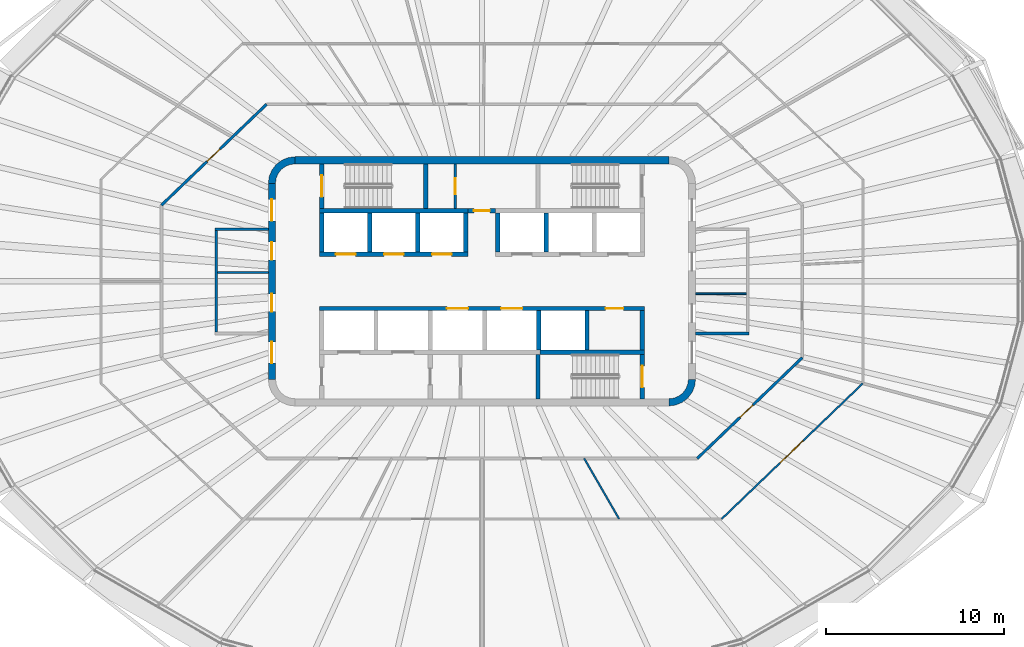
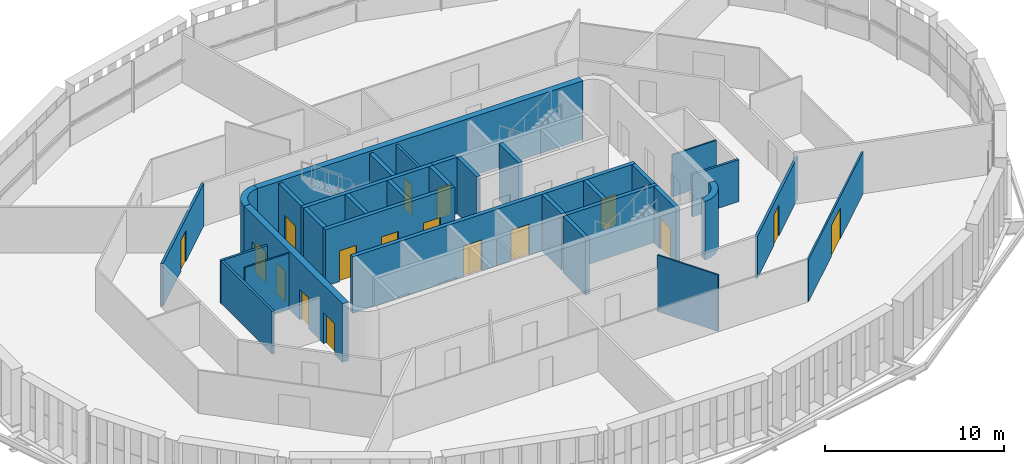
# One storey, part 11 of 20: 32 walls, 17 doors, 17 openings.
"""IFC4 building model written with IfcOpenShell, lengths in metres."""

from ifc_helpers import new_model, si_unit, direction, frame, frame_2d, origin, place, context, subcontext, project, spatial, polyline, rectangle, outline, extrude, material, layer, layer_set, type_object, element, fill, save


model = new_model("IFC4")

# Units and contexts
model_context = context("Model", 3, precision=1e-05, world=origin(), true_north=direction((0.0, 1.0)))
body_context = subcontext(model_context, "Body", "Model", "MODEL_VIEW")
ifc_project = project(units=[si_unit("LENGTHUNIT", "METRE"), si_unit("AREAUNIT", "SQUARE_METRE"), si_unit("VOLUMEUNIT", "CUBIC_METRE"), si_unit("PLANEANGLEUNIT", "RADIAN"), si_unit("MASSUNIT", "GRAM", prefix="KILO")], contexts=[model_context])

# Site, building, storey
site_placement = place(None, origin())
site = spatial("IfcSite", under=ifc_project, at=site_placement, CompositionType="ELEMENT")
building_placement = place(site_placement, origin())
building = spatial("IfcBuilding", under=site, at=building_placement, Name="Sahrelin Media Tower", CompositionType="ELEMENT")
storey_placement = place(building_placement, frame((0.0, 0.0, 255.0)))
storey = spatial("IfcBuildingStorey", under=building, at=storey_placement, Name="L55", CompositionType="ELEMENT", Elevation=255.0)

# Wall
ifc_material_1 = material(Name="Concrete C60/75", Category="concrete")
ifc_layer_1 = layer(ifc_material_1, 0.39990234375)
ifc_layer_set_1 = layer_set([ifc_layer_1], Name="Core wall 400")
wall_type_1 = type_object("IfcWallType", Name="Core wall 400", PredefinedType="SHEAR", material=ifc_layer_set_1)
wall_1_placement = place(storey_placement, frame((-10.5, 6.800048828125, 0.0), z_axis=(0.0, 0.0, 1.0), x_axis=(1.0, 0.0, 0.0)))
element("IfcWall", 1, at=wall_1_placement, inside=storey, type_object=wall_type_1, Name="Core wall N L55", PredefinedType="SHEAR", context=body_context, shape_type="SweptSolid", body=[
    extrude(rectangle(XDim=21.0, YDim=0.39990234375, at=frame_2d((10.5, 0.0))), origin(), (0.0, 0.0, 1.0), 4.0),
])

# Wall, openings, doors
wall_2_placement = place(storey_placement, frame((-11.800048828125, -5.5, 0.0), z_axis=(0.0, 0.0, 1.0), x_axis=(0.0, 1.0, 0.0)))
wall_2 = element("IfcWall", 2, at=wall_2_placement, inside=storey, type_object=wall_type_1, Name="Core wall W L55", PredefinedType="SHEAR", context=body_context, shape_type="SweptSolid", body=[
    extrude(rectangle(XDim=11.0, YDim=0.39990234375, at=frame_2d((5.5, 0.0))), origin(), (0.0, 0.0, 1.0), 4.0),
])
opening_1_placement = place(wall_2_placement, frame((3.800048828125, 0.0, 0.0)))
opening_1 = element("IfcOpeningElement", 3, at=opening_1_placement, cuts=wall_2, Name="Opening L55-D10", PredefinedType="OPENING", context=body_context, shape_type="SweptSolid", body=[
    extrude(rectangle(XDim=1.0, YDim=2.10009765625, at=frame_2d((0.5, 1.050048828125))), frame((0.0, 0.199951171875, 0.0), z_axis=(0.0, -1.0, 0.0), x_axis=(1.0, 0.0, 0.0)), (0.0, 0.0, 1.0), 0.39990234375),
])
opening_2_placement = place(wall_2_placement, frame((6.699951171875, 0.0, 0.0)))
opening_2 = element("IfcOpeningElement", 4, at=opening_2_placement, cuts=wall_2, Name="Opening L55-D11", PredefinedType="OPENING", context=body_context, shape_type="SweptSolid", body=[
    extrude(rectangle(XDim=1.0, YDim=2.10009765625, at=frame_2d((0.5, 1.050048828125))), frame((0.0, 0.199951171875, 0.0), z_axis=(0.0, -1.0, 0.0), x_axis=(1.0, 0.0, 0.0)), (0.0, 0.0, 1.0), 0.39990234375),
])
opening_3_placement = place(wall_2_placement, frame((0.89990234375, 0.0, 0.0)))
opening_3 = element("IfcOpeningElement", 5, at=opening_3_placement, cuts=wall_2, Name="Opening L55-D14", PredefinedType="OPENING", context=body_context, shape_type="SweptSolid", body=[
    extrude(rectangle(XDim=1.199951171875, YDim=2.10009765625, at=frame_2d((0.60009765625, 1.050048828125))), frame((0.0, 0.199951171875, 0.0), z_axis=(0.0, -1.0, 0.0), x_axis=(1.0, 0.0, 0.0)), (0.0, 0.0, 1.0), 0.39990234375),
])
opening_4_placement = place(wall_2_placement, frame((8.89990234375, 0.0, 0.0)))
opening_4 = element("IfcOpeningElement", 6, at=opening_4_placement, cuts=wall_2, Name="Opening L55-D15", PredefinedType="OPENING", context=body_context, shape_type="SweptSolid", body=[
    extrude(rectangle(XDim=1.199951171875, YDim=2.10009765625, at=frame_2d((0.60009765625, 1.050048828125))), frame((0.0, 0.199951171875, 0.0), z_axis=(0.0, -1.0, 0.0), x_axis=(1.0, 0.0, 0.0)), (0.0, 0.0, 1.0), 0.39990234375),
])
ifc_material_2 = material(Name="Steel fire door leaf", Category="steel")
door_type_1 = type_object("IfcDoorType", Name="Fire door 1000 x 2100 EI 60", OperationType="NOTDEFINED", PredefinedType="DOOR", material=ifc_material_2)
door_1_placement = place(opening_1_placement, origin())
door_1 = element("IfcDoor", 7, at=door_1_placement, inside=storey, type_object=door_type_1, Name="Core room door", OperationType="SINGLE_SWING_RIGHT", OverallHeight=2.10009765625, OverallWidth=1.0, PredefinedType="DOOR", context=body_context, shape_type="SweptSolid", body=[
    extrude(rectangle(XDim=1.0, YDim=2.10009765625, at=frame_2d((0.5, 1.050048828125))), frame((0.0, 0.02490234375, 0.0), z_axis=(0.0, -1.0, 0.0), x_axis=(1.0, 0.0, 0.0)), (0.0, 0.0, 1.0), 0.050048828125),
])
fill(opening_1, door_1)
door_2_placement = place(opening_2_placement, origin())
door_2 = element("IfcDoor", 8, at=door_2_placement, inside=storey, type_object=door_type_1, Name="Core room door", OperationType="SINGLE_SWING_RIGHT", OverallHeight=2.10009765625, OverallWidth=1.0, PredefinedType="DOOR", context=body_context, shape_type="SweptSolid", body=[
    extrude(rectangle(XDim=1.0, YDim=2.10009765625, at=frame_2d((0.5, 1.050048828125))), frame((0.0, 0.02490234375, 0.0), z_axis=(0.0, -1.0, 0.0), x_axis=(1.0, 0.0, 0.0)), (0.0, 0.0, 1.0), 0.050048828125),
])
fill(opening_2, door_2)
door_type_2 = type_object("IfcDoorType", Name="Lobby door 1200 x 2100 EI 60", OperationType="NOTDEFINED", PredefinedType="DOOR", material=ifc_material_2)
door_3_placement = place(opening_3_placement, origin())
door_3 = element("IfcDoor", 9, at=door_3_placement, inside=storey, type_object=door_type_2, Name="Lobby door", OperationType="SINGLE_SWING_LEFT", OverallHeight=2.10009765625, OverallWidth=1.199951171875, PredefinedType="DOOR", context=body_context, shape_type="SweptSolid", body=[
    extrude(rectangle(XDim=1.199951171875, YDim=2.10009765625, at=frame_2d((0.60009765625, 1.050048828125))), frame((0.0, 0.02490234375, 0.0), z_axis=(0.0, -1.0, 0.0), x_axis=(1.0, 0.0, 0.0)), (0.0, 0.0, 1.0), 0.050048828125),
])
fill(opening_3, door_3)
door_4_placement = place(opening_4_placement, origin())
door_4 = element("IfcDoor", 10, at=door_4_placement, inside=storey, type_object=door_type_2, Name="Lobby door", OperationType="SINGLE_SWING_LEFT", OverallHeight=2.10009765625, OverallWidth=1.199951171875, PredefinedType="DOOR", context=body_context, shape_type="SweptSolid", body=[
    extrude(rectangle(XDim=1.199951171875, YDim=2.10009765625, at=frame_2d((0.60009765625, 1.050048828125))), frame((0.0, 0.02490234375, 0.0), z_axis=(0.0, -1.0, 0.0), x_axis=(1.0, 0.0, 0.0)), (0.0, 0.0, 1.0), 0.050048828125),
])
fill(opening_4, door_4)

# Walls
placement = place(storey_placement, origin())
element("IfcWall", 11, at=placement, inside=storey, type_object=wall_type_1, Name="Core wall corner NW L55", PredefinedType="SHEAR", context=body_context, shape_type="SweptSolid", body=[
    extrude(outline(polyline([(-12.0, 5.5), (-11.596435546875, 5.5), (-11.55908203125, 5.78369140625), (-11.44970703125, 6.04833984375), (-11.275390625, 6.275390625), (-11.04833984375, 6.44970703125), (-10.78369140625, 6.55908203125), (-10.5, 6.596435546875), (-10.5, 7.0), (-10.88818359375, 6.948974609375), (-11.25, 6.799072265625), (-11.560791015625, 6.560791015625), (-11.799072265625, 6.25), (-11.948974609375, 5.88818359375), (-12.0, 5.5)])), origin(), (0.0, 0.0, 1.0), 4.0),
])
element("IfcWall", 12, at=placement, inside=storey, type_object=wall_type_1, Name="Core wall corner SE L55", PredefinedType="SHEAR", context=body_context, shape_type="SweptSolid", body=[
    extrude(outline(polyline([(12.0, -5.5), (11.596435546875, -5.5), (11.55908203125, -5.78369140625), (11.44970703125, -6.04833984375), (11.275390625, -6.275390625), (11.04833984375, -6.44970703125), (10.78369140625, -6.55908203125), (10.5, -6.596435546875), (10.5, -7.0), (10.88818359375, -6.948974609375), (11.25, -6.799072265625), (11.560791015625, -6.560791015625), (11.799072265625, -6.25), (11.948974609375, -5.88818359375), (12.0, -5.5)])), origin(), (0.0, 0.0, 1.0), 4.0),
])

# Wall, opening, door
ifc_material_3 = material(Name="Fire-rated gypsum board partition")
ifc_layer_2 = layer(ifc_material_3, 0.25)
ifc_layer_set_2 = layer_set([ifc_layer_2], Name="Fire-rated lobby wall 250")
wall_type_2 = type_object("IfcWallType", Name="Fire-rated lobby wall 250", PredefinedType="PARTITIONING", material=ifc_layer_set_2)
wall_5_placement = place(storey_placement, frame((-0.77490234375, 3.97509765625, 0.0), z_axis=(0.0, 0.0, 1.0), x_axis=(1.0, 0.0, 0.0)))
wall_5 = element("IfcWall", 13, at=wall_5_placement, inside=storey, type_object=wall_type_2, Name="Core lobby wall", PredefinedType="PARTITIONING", context=body_context, shape_type="SweptSolid", body=[
    extrude(rectangle(XDim=1.5498046875, YDim=0.25, at=frame_2d((0.77490234375, 0.0))), origin(), (0.0, 0.0, 1.0), 3.85009765625),
])
opening_5_placement = place(wall_5_placement, frame((0.324951171875, 0.0, 0.0)))
opening_5 = element("IfcOpeningElement", 14, at=opening_5_placement, cuts=wall_5, Name="Opening L55-D06", PredefinedType="OPENING", context=body_context, shape_type="SweptSolid", body=[
    extrude(rectangle(XDim=0.89990234375, YDim=2.10009765625, at=frame_2d((0.449951171875, 1.050048828125))), frame((0.0, 0.125, 0.0), z_axis=(0.0, -1.0, 0.0), x_axis=(1.0, 0.0, 0.0)), (0.0, 0.0, 1.0), 0.25),
])
door_type_3 = type_object("IfcDoorType", Name="Riser door 900 x 2100 EI 120", OperationType="NOTDEFINED", PredefinedType="DOOR", material=ifc_material_2)
door_5_placement = place(opening_5_placement, origin())
door_5 = element("IfcDoor", 15, at=door_5_placement, inside=storey, type_object=door_type_3, Name="Core room door", OperationType="SINGLE_SWING_LEFT", OverallHeight=2.10009765625, OverallWidth=0.89990234375, PredefinedType="DOOR", context=body_context, shape_type="SweptSolid", body=[
    extrude(rectangle(XDim=0.89990234375, YDim=2.10009765625, at=frame_2d((0.449951171875, 1.050048828125))), frame((0.0, 0.02490234375, 0.0), z_axis=(0.0, -1.0, 0.0), x_axis=(1.0, 0.0, 0.0)), (0.0, 0.0, 1.0), 0.050048828125),
])
fill(opening_5, door_5)

# Walls
ifc_layer_3 = layer(ifc_material_3, 0.10009765625)
ifc_layer_set_3 = layer_set([ifc_layer_3], Name="Fire-rated partition 100")
wall_type_3 = type_object("IfcWallType", Name="Fire-rated partition 100", PredefinedType="PARTITIONING", material=ifc_layer_set_3)
wall_6_placement = place(storey_placement, frame((-14.85009765625, 0.5, 0.0), z_axis=(0.0, 0.0, 1.0), x_axis=(1.0, 0.0, 0.0)))
element("IfcWall", 16, at=wall_6_placement, inside=storey, type_object=wall_type_3, Name="Core room partition", PredefinedType="PARTITIONING", context=body_context, shape_type="SweptSolid", body=[
    extrude(rectangle(XDim=2.85009765625, YDim=0.10009765625, at=frame_2d((1.425048828125, 0.0))), origin(), (0.0, 0.0, 1.0), 3.85009765625),
])
wall_7_placement = place(storey_placement, frame((12.0, -0.699951171875, 0.0), z_axis=(0.0, 0.0, 1.0), x_axis=(1.0, 0.0, 0.0)))
element("IfcWall", 17, at=wall_7_placement, inside=storey, type_object=wall_type_3, Name="Core room partition", PredefinedType="PARTITIONING", context=body_context, shape_type="SweptSolid", body=[
    extrude(rectangle(XDim=2.85009765625, YDim=0.10009765625, at=frame_2d((1.425048828125, 0.0))), origin(), (0.0, 0.0, 1.0), 2.8681640625),
])

# Wall, opening, door
ifc_layer_4 = layer(ifc_material_3, 0.14990234375)
ifc_layer_set_4 = layer_set([ifc_layer_4], Name="Fire-rated partition 150")
wall_type_4 = type_object("IfcWallType", Name="Fire-rated partition 150", PredefinedType="PARTITIONING", material=ifc_layer_set_4)
wall_8_placement = place(storey_placement, frame((-1.5, 4.10009765625, 0.0), z_axis=(0.0, 0.0, 1.0), x_axis=(0.0, 1.0, 0.0)))
wall_8 = element("IfcWall", 18, at=wall_8_placement, inside=storey, type_object=wall_type_4, Name="Core room fire partition", PredefinedType="PARTITIONING", context=body_context, shape_type="SweptSolid", body=[
    extrude(rectangle(XDim=2.5, YDim=0.14990234375, at=frame_2d((1.25, 0.0))), origin(), (0.0, 0.0, 1.0), 3.85009765625),
])
opening_6_placement = place(wall_8_placement, frame((0.800048828125, 0.0, 0.0)))
opening_6 = element("IfcOpeningElement", 19, at=opening_6_placement, cuts=wall_8, Name="Opening L55-D07", PredefinedType="OPENING", context=body_context, shape_type="SweptSolid", body=[
    extrude(rectangle(XDim=0.89990234375, YDim=2.10009765625, at=frame_2d((0.449951171875, 1.050048828125))), frame((0.0, 0.074951171875, 0.0), z_axis=(0.0, -1.0, 0.0), x_axis=(1.0, 0.0, 0.0)), (0.0, 0.0, 1.0), 0.14990234375),
])
door_type_4 = type_object("IfcDoorType", Name="Fire door 900 x 2100 EI 60", OperationType="NOTDEFINED", PredefinedType="DOOR", material=ifc_material_2)
door_6_placement = place(opening_6_placement, origin())
door_6 = element("IfcDoor", 20, at=door_6_placement, inside=storey, type_object=door_type_4, Name="Core room door", OperationType="SINGLE_SWING_LEFT", OverallHeight=2.10009765625, OverallWidth=0.89990234375, PredefinedType="DOOR", context=body_context, shape_type="SweptSolid", body=[
    extrude(rectangle(XDim=0.89990234375, YDim=2.10009765625, at=frame_2d((0.449951171875, 1.050048828125))), frame((0.0, 0.02490234375, 0.0), z_axis=(0.0, -1.0, 0.0), x_axis=(1.0, 0.0, 0.0)), (0.0, 0.0, 1.0), 0.050048828125),
])
fill(opening_6, door_6)

# Walls
wall_9_placement = place(storey_placement, frame((-14.925048828125, -2.85009765625, 0.0), z_axis=(0.0, 0.0, 1.0), x_axis=(0.0, 1.0, 0.0)))
element("IfcWall", 21, at=wall_9_placement, inside=storey, type_object=wall_type_4, Name="Core room fire partition", PredefinedType="PARTITIONING", context=body_context, shape_type="SweptSolid", body=[
    extrude(rectangle(XDim=5.7001953125, YDim=0.14990234375, at=frame_2d((2.85009765625, 0.0))), origin(), (0.0, 0.0, 1.0), 2.918212890625),
])
wall_10_placement = place(storey_placement, frame((-15.0, 2.925048828125, 0.0), z_axis=(0.0, 0.0, 1.0), x_axis=(1.0, 0.0, 0.0)))
element("IfcWall", 22, at=wall_10_placement, inside=storey, type_object=wall_type_4, Name="Core room fire partition", PredefinedType="PARTITIONING", context=body_context, shape_type="SweptSolid", body=[
    extrude(rectangle(XDim=3.0, YDim=0.14990234375, at=frame_2d((1.5, 0.0))), origin(), (0.0, 0.0, 1.0), 2.918212890625),
])
wall_11_placement = place(storey_placement, frame((12.0, -2.925048828125, 0.0), z_axis=(0.0, 0.0, 1.0), x_axis=(1.0, 0.0, 0.0)))
element("IfcWall", 23, at=wall_11_placement, inside=storey, type_object=wall_type_4, Name="Core room fire partition", PredefinedType="PARTITIONING", context=body_context, shape_type="SweptSolid", body=[
    extrude(rectangle(XDim=3.0, YDim=0.14990234375, at=frame_2d((1.5, 0.0))), origin(), (0.0, 0.0, 1.0), 2.8681640625),
])

# Wall, opening, door
wall_12_placement = place(storey_placement, frame((12.094970703125, -9.948974609375, 0.0), z_axis=(0.0, 0.0, 1.0), x_axis=(0.721348586031, 0.692572174889, 0.0)))
wall_12 = element("IfcWall", 24, at=wall_12_placement, inside=storey, type_object=wall_type_4, Name="Wall", PredefinedType="PARTITIONING", context=body_context, shape_type="SweptSolid", body=[
    extrude(rectangle(XDim=8.18701171875, YDim=0.14990234375, at=frame_2d((4.093505859375, 0.0))), origin(), (0.0, 0.0, 1.0), 2.8681640625),
])
opening_7_placement = place(wall_12_placement, frame((3.333740234375, 0.0, 0.0)))
opening_7 = element("IfcOpeningElement", 25, at=opening_7_placement, cuts=wall_12, Name="Opening L55-D32", PredefinedType="OPENING", context=body_context, shape_type="SweptSolid", body=[
    extrude(rectangle(XDim=1.0, YDim=2.10009765625, at=frame_2d((0.5, 1.050048828125))), frame((0.0, 0.074951171875, 0.0), z_axis=(0.0, -1.0, 0.0), x_axis=(1.0, 0.0, 0.0)), (0.0, 0.0, 1.0), 0.14990234375),
])
door_7_placement = place(opening_7_placement, origin())
door_7 = element("IfcDoor", 26, at=door_7_placement, inside=storey, type_object=door_type_1, Name="Fire door", OperationType="SINGLE_SWING_LEFT", OverallHeight=2.10009765625, OverallWidth=1.0, PredefinedType="DOOR", context=body_context, shape_type="SweptSolid", body=[
    extrude(rectangle(XDim=1.0, YDim=2.10009765625, at=frame_2d((0.5, 1.050048828125))), frame((0.0, 0.02490234375, 0.0), z_axis=(0.0, -1.0, 0.0), x_axis=(1.0, 0.0, 0.0)), (0.0, 0.0, 1.0), 0.050048828125),
])
fill(opening_7, door_7)

wall_13_placement = place(storey_placement, frame((-18.0, 4.278076171875, 0.0), z_axis=(0.0, 0.0, 1.0), x_axis=(0.721334282166, 0.692587072773, 0.0)))
wall_13 = element("IfcWall", 27, at=wall_13_placement, inside=storey, type_object=wall_type_4, Name="Wall", PredefinedType="PARTITIONING", context=body_context, shape_type="SweptSolid", body=[
    extrude(rectangle(XDim=8.18701171875, YDim=0.14990234375, at=frame_2d((4.093505859375, 0.0))), origin(), (0.0, 0.0, 1.0), 2.918212890625),
])
opening_8_placement = place(wall_13_placement, frame((3.54541015625, 0.0, 0.0)))
opening_8 = element("IfcOpeningElement", 28, at=opening_8_placement, cuts=wall_13, Name="Opening L55-D25", PredefinedType="OPENING", context=body_context, shape_type="SweptSolid", body=[
    extrude(rectangle(XDim=1.0, YDim=2.10009765625, at=frame_2d((0.5, 1.050048828125))), frame((0.0, 0.074951171875, 0.0), z_axis=(0.0, -1.0, 0.0), x_axis=(1.0, 0.0, 0.0)), (0.0, 0.0, 1.0), 0.14990234375),
])
door_8_placement = place(opening_8_placement, origin())
door_8 = element("IfcDoor", 29, at=door_8_placement, inside=storey, type_object=door_type_1, Name="Fire door", OperationType="SINGLE_SWING_RIGHT", OverallHeight=2.10009765625, OverallWidth=1.0, PredefinedType="DOOR", context=body_context, shape_type="SweptSolid", body=[
    extrude(rectangle(XDim=1.0, YDim=2.10009765625, at=frame_2d((0.5, 1.050048828125))), frame((0.0, 0.02490234375, 0.0), z_axis=(0.0, -1.0, 0.0), x_axis=(1.0, 0.0, 0.0)), (0.0, 0.0, 1.0), 0.050048828125),
])
fill(opening_8, door_8)

# Wall, openings, doors
ifc_layer_5 = layer(ifc_material_1, 0.25)
ifc_layer_set_5 = layer_set([ifc_layer_5], Name="Lift shaft wall 250")
wall_type_5 = type_object("IfcWallType", Name="Lift shaft wall 250", PredefinedType="SOLIDWALL", material=ifc_layer_set_5)
wall_14_placement = place(storey_placement, frame((-9.125, 1.52490234375, 0.0), z_axis=(0.0, 0.0, 1.0), x_axis=(1.0, 0.0, 0.0)))
wall_14 = element("IfcWall", 30, at=wall_14_placement, inside=storey, type_object=wall_type_5, Name="Lift shaft wall", PredefinedType="SOLIDWALL", context=body_context, shape_type="SweptSolid", body=[
    extrude(rectangle(XDim=8.35009765625, YDim=0.25, at=frame_2d((4.175048828125, 0.0))), origin(), (0.0, 0.0, 1.0), 3.85009765625),
])
opening_9_placement = place(wall_14_placement, frame((0.925048828125, 0.0, 0.0)))
opening_9 = element("IfcOpeningElement", 31, at=opening_9_placement, cuts=wall_14, Name="Opening L55-LD-HR1", PredefinedType="OPENING", context=body_context, shape_type="SweptSolid", body=[
    extrude(rectangle(XDim=1.10009765625, YDim=2.10009765625, at=frame_2d((0.550048828125, 1.050048828125))), frame((0.0, 0.125, 0.0), z_axis=(0.0, -1.0, 0.0), x_axis=(1.0, 0.0, 0.0)), (0.0, 0.0, 1.0), 0.25),
])
opening_10_placement = place(wall_14_placement, frame((3.625, 0.0, 0.0)))
opening_10 = element("IfcOpeningElement", 32, at=opening_10_placement, cuts=wall_14, Name="Opening L55-LD-HR2", PredefinedType="OPENING", context=body_context, shape_type="SweptSolid", body=[
    extrude(rectangle(XDim=1.10009765625, YDim=2.10009765625, at=frame_2d((0.550048828125, 1.050048828125))), frame((0.0, 0.125, 0.0), z_axis=(0.0, -1.0, 0.0), x_axis=(1.0, 0.0, 0.0)), (0.0, 0.0, 1.0), 0.25),
])
opening_11_placement = place(wall_14_placement, frame((6.324951171875, 0.0, 0.0)))
opening_11 = element("IfcOpeningElement", 33, at=opening_11_placement, cuts=wall_14, Name="Opening L55-LD-HR3", PredefinedType="OPENING", context=body_context, shape_type="SweptSolid", body=[
    extrude(rectangle(XDim=1.10009765625, YDim=2.10009765625, at=frame_2d((0.550048828125, 1.050048828125))), frame((0.0, 0.125, 0.0), z_axis=(0.0, -1.0, 0.0), x_axis=(1.0, 0.0, 0.0)), (0.0, 0.0, 1.0), 0.25),
])
ifc_material_4 = material(Name="Stainless steel", Category="steel")
door_type_5 = type_object("IfcDoorType", Name="Lift landing door 1100 x 2100 EI 120", OperationType="DOUBLE_DOOR_SLIDING", PredefinedType="DOOR", material=ifc_material_4)
door_9_placement = place(opening_9_placement, origin())
door_9 = element("IfcDoor", 34, at=door_9_placement, inside=storey, type_object=door_type_5, Name="Lift landing door HR1", OperationType="DOUBLE_DOOR_SLIDING", OverallHeight=2.10009765625, OverallWidth=1.10009765625, PredefinedType="DOOR", context=body_context, shape_type="SweptSolid", body=[
    extrude(rectangle(XDim=1.10009765625, YDim=2.10009765625, at=frame_2d((0.550048828125, 1.050048828125))), frame((0.0, 0.02490234375, 0.0), z_axis=(0.0, -1.0, 0.0), x_axis=(1.0, 0.0, 0.0)), (0.0, 0.0, 1.0), 0.050048828125),
])
fill(opening_9, door_9)
door_10_placement = place(opening_10_placement, origin())
door_10 = element("IfcDoor", 35, at=door_10_placement, inside=storey, type_object=door_type_5, Name="Lift landing door HR2", OperationType="DOUBLE_DOOR_SLIDING", OverallHeight=2.10009765625, OverallWidth=1.10009765625, PredefinedType="DOOR", context=body_context, shape_type="SweptSolid", body=[
    extrude(rectangle(XDim=1.10009765625, YDim=2.10009765625, at=frame_2d((0.550048828125, 1.050048828125))), frame((0.0, 0.02490234375, 0.0), z_axis=(0.0, -1.0, 0.0), x_axis=(1.0, 0.0, 0.0)), (0.0, 0.0, 1.0), 0.050048828125),
])
fill(opening_10, door_10)
door_11_placement = place(opening_11_placement, origin())
door_11 = element("IfcDoor", 36, at=door_11_placement, inside=storey, type_object=door_type_5, Name="Lift landing door HR3", OperationType="DOUBLE_DOOR_SLIDING", OverallHeight=2.10009765625, OverallWidth=1.10009765625, PredefinedType="DOOR", context=body_context, shape_type="SweptSolid", body=[
    extrude(rectangle(XDim=1.10009765625, YDim=2.10009765625, at=frame_2d((0.550048828125, 1.050048828125))), frame((0.0, 0.02490234375, 0.0), z_axis=(0.0, -1.0, 0.0), x_axis=(1.0, 0.0, 0.0)), (0.0, 0.0, 1.0), 0.050048828125),
])
fill(opening_11, door_11)

# Walls
wall_15_placement = place(storey_placement, frame((-9.125, 3.97509765625, 0.0), z_axis=(0.0, 0.0, 1.0), x_axis=(1.0, 0.0, 0.0)))
element("IfcWall", 37, at=wall_15_placement, inside=storey, type_object=wall_type_5, Name="Lift shaft wall", PredefinedType="SOLIDWALL", context=body_context, shape_type="SweptSolid", body=[
    extrude(rectangle(XDim=8.35009765625, YDim=0.25, at=frame_2d((4.175048828125, 0.0))), origin(), (0.0, 0.0, 1.0), 3.85009765625),
])
for number, where, z_axis, x_axis, name in (
    (38, (-9.0, 1.64990234375, 0.0), (0.0, 0.0, 1.0), (0.0, 1.0, 0.0), "Lift shaft wall"),
    (39, (-6.300048828125, 1.64990234375, 0.0), (0.0, 0.0, 1.0), (0.0, 1.0, 0.0), "Lift shaft wall"),
    (40, (-3.60009765625, 1.64990234375, 0.0), (0.0, 0.0, 1.0), (0.0, 1.0, 0.0), "Lift shaft wall"),
    (41, (3.60009765625, 1.64990234375, 0.0), (0.0, 0.0, 1.0), (0.0, 1.0, 0.0), "Lift shaft wall"),
    (42, (-0.89990234375, 1.64990234375, 0.0), (0.0, 0.0, 1.0), (0.0, 1.0, 0.0), "Lift shaft wall"),
    (43, (0.89990234375, 1.64990234375, 0.0), (0.0, 0.0, 1.0), (0.0, 1.0, 0.0), "Lift shaft wall"),
):
    element("IfcWall", number, at=place(storey_placement, frame(where, z_axis=z_axis, x_axis=x_axis)), inside=storey, type_object=wall_type_5, Name=name, PredefinedType="SOLIDWALL", context=body_context, shape_type="SweptSolid", body=[
        extrude(rectangle(XDim=2.2001953125, YDim=0.25, at=frame_2d((1.10009765625, 0.0))), origin(), (0.0, 0.0, 1.0), 3.85009765625),
    ])

# Wall, openings, doors
wall_16_placement = place(storey_placement, frame((-9.125, -1.52490234375, 0.0), z_axis=(0.0, 0.0, 1.0), x_axis=(1.0, 0.0, 0.0)))
wall_16 = element("IfcWall", 44, at=wall_16_placement, inside=storey, type_object=wall_type_5, Name="Lift shaft wall", PredefinedType="SOLIDWALL", context=body_context, shape_type="SweptSolid", body=[
    extrude(rectangle(XDim=18.25, YDim=0.25, at=frame_2d((9.125, 0.0))), origin(), (0.0, 0.0, 1.0), 3.85009765625),
])
opening_12_placement = place(wall_16_placement, frame((7.14990234375, 0.0, 0.0)))
opening_12 = element("IfcOpeningElement", 45, at=opening_12_placement, cuts=wall_16, Name="Opening L55-LD-SV1", PredefinedType="OPENING", context=body_context, shape_type="SweptSolid", body=[
    extrude(rectangle(XDim=1.199951171875, YDim=2.10009765625, at=frame_2d((0.60009765625, 1.050048828125))), frame((0.0, 0.125, 0.0), z_axis=(0.0, -1.0, 0.0), x_axis=(1.0, 0.0, 0.0)), (0.0, 0.0, 1.0), 0.25),
])
opening_13_placement = place(wall_16_placement, frame((10.199951171875, 0.0, 0.0)))
opening_13 = element("IfcOpeningElement", 46, at=opening_13_placement, cuts=wall_16, Name="Opening L55-LD-SV2", PredefinedType="OPENING", context=body_context, shape_type="SweptSolid", body=[
    extrude(rectangle(XDim=1.199951171875, YDim=2.10009765625, at=frame_2d((0.60009765625, 1.050048828125))), frame((0.0, 0.125, 0.0), z_axis=(0.0, -1.0, 0.0), x_axis=(1.0, 0.0, 0.0)), (0.0, 0.0, 1.0), 0.25),
])
opening_14_placement = place(wall_16_placement, frame((16.074951171875, 0.0, 0.0)))
opening_14 = element("IfcOpeningElement", 47, at=opening_14_placement, cuts=wall_16, Name="Opening L55-D09", PredefinedType="OPENING", context=body_context, shape_type="SweptSolid", body=[
    extrude(rectangle(XDim=1.0, YDim=2.10009765625, at=frame_2d((0.5, 1.050048828125))), frame((0.0, 0.125, 0.0), z_axis=(0.0, -1.0, 0.0), x_axis=(1.0, 0.0, 0.0)), (0.0, 0.0, 1.0), 0.25),
])
door_12_placement = place(opening_14_placement, origin())
door_12 = element("IfcDoor", 48, at=door_12_placement, inside=storey, type_object=door_type_1, Name="Core room door", OperationType="SINGLE_SWING_RIGHT", OverallHeight=2.10009765625, OverallWidth=1.0, PredefinedType="DOOR", context=body_context, shape_type="SweptSolid", body=[
    extrude(rectangle(XDim=1.0, YDim=2.10009765625, at=frame_2d((0.5, 1.050048828125))), frame((0.0, 0.02490234375, 0.0), z_axis=(0.0, -1.0, 0.0), x_axis=(1.0, 0.0, 0.0)), (0.0, 0.0, 1.0), 0.050048828125),
])
fill(opening_14, door_12)
door_type_6 = type_object("IfcDoorType", Name="Lift landing door 1200 x 2100 EI 120", OperationType="DOUBLE_DOOR_SLIDING", PredefinedType="DOOR", material=ifc_material_4)
door_13_placement = place(opening_12_placement, origin())
door_13 = element("IfcDoor", 49, at=door_13_placement, inside=storey, type_object=door_type_6, Name="Lift landing door SV1", OperationType="DOUBLE_DOOR_SLIDING", OverallHeight=2.10009765625, OverallWidth=1.199951171875, PredefinedType="DOOR", context=body_context, shape_type="SweptSolid", body=[
    extrude(rectangle(XDim=1.199951171875, YDim=2.10009765625, at=frame_2d((0.60009765625, 1.050048828125))), frame((0.0, 0.02490234375, 0.0), z_axis=(0.0, -1.0, 0.0), x_axis=(1.0, 0.0, 0.0)), (0.0, 0.0, 1.0), 0.050048828125),
])
fill(opening_12, door_13)
door_14_placement = place(opening_13_placement, origin())
door_14 = element("IfcDoor", 50, at=door_14_placement, inside=storey, type_object=door_type_6, Name="Lift landing door SV2", OperationType="DOUBLE_DOOR_SLIDING", OverallHeight=2.10009765625, OverallWidth=1.199951171875, PredefinedType="DOOR", context=body_context, shape_type="SweptSolid", body=[
    extrude(rectangle(XDim=1.199951171875, YDim=2.10009765625, at=frame_2d((0.60009765625, 1.050048828125))), frame((0.0, 0.02490234375, 0.0), z_axis=(0.0, -1.0, 0.0), x_axis=(1.0, 0.0, 0.0)), (0.0, 0.0, 1.0), 0.050048828125),
])
fill(opening_13, door_14)

# Walls
wall_17_placement = place(storey_placement, frame((3.27490234375, -3.97509765625, 0.0), z_axis=(0.0, 0.0, 1.0), x_axis=(1.0, 0.0, 0.0)))
element("IfcWall", 51, at=wall_17_placement, inside=storey, type_object=wall_type_5, Name="Lift shaft wall", PredefinedType="SOLIDWALL", context=body_context, shape_type="SweptSolid", body=[
    extrude(rectangle(XDim=5.85009765625, YDim=0.25, at=frame_2d((2.925048828125, 0.0))), origin(), (0.0, 0.0, 1.0), 3.85009765625),
])
for number, where, z_axis, x_axis, name in (
    (52, (3.199951171875, -3.85009765625, 0.0), (0.0, 0.0, 1.0), (0.0, 1.0, 0.0), "Lift shaft wall"),
    (53, (5.89990234375, -3.85009765625, 0.0), (0.0, 0.0, 1.0), (0.0, 1.0, 0.0), "Lift shaft wall"),
    (54, (9.0, -3.85009765625, 0.0), (0.0, 0.0, 1.0), (0.0, 1.0, 0.0), "Lift shaft wall"),
):
    element("IfcWall", number, at=place(storey_placement, frame(where, z_axis=z_axis, x_axis=x_axis)), inside=storey, type_object=wall_type_5, Name=name, PredefinedType="SOLIDWALL", context=body_context, shape_type="SweptSolid", body=[
        extrude(rectangle(XDim=2.2001953125, YDim=0.25, at=frame_2d((1.10009765625, 0.0))), origin(), (0.0, 0.0, 1.0), 3.85009765625),
    ])
ifc_material_5 = material(Name="Gypsum board partition")
ifc_layer_6 = layer(ifc_material_5, 0.10009765625)
ifc_layer_set_6 = layer_set([ifc_layer_6], Name="Partition 100")
wall_type_6 = type_object("IfcWallType", Name="Partition 100", PredefinedType="PARTITIONING", material=ifc_layer_set_6)
wall_18_placement = place(storey_placement, frame((5.743896484375, -9.948974609375, 0.0), z_axis=(0.0, 0.0, 1.0), x_axis=(0.500011323479, -0.866018866072, 0.0)))
element("IfcWall", 55, at=wall_18_placement, inside=storey, type_object=wall_type_6, Name="Wall", PredefinedType="PARTITIONING", context=body_context, shape_type="SweptSolid", body=[
    extrude(rectangle(XDim=3.92626953125, YDim=0.10009765625, at=frame_2d((1.963134765625, 0.0))), origin(), (0.0, 0.0, 1.0), 3.85009765625),
])

# Wall, opening, door
wall_19_placement = place(storey_placement, frame((13.462890625, -13.34912109375, 0.0), z_axis=(0.0, 0.0, 1.0), x_axis=(0.721271950356, 0.692651985942, 0.0)))
wall_19 = element("IfcWall", 56, at=wall_19_placement, inside=storey, type_object=wall_type_6, Name="Wall", PredefinedType="PARTITIONING", context=body_context, shape_type="SweptSolid", body=[
    extrude(rectangle(XDim=10.99560546875, YDim=0.10009765625, at=frame_2d((5.497802734375, 0.0))), origin(), (0.0, 0.0, 1.0), 2.876953125),
])
opening_15_placement = place(wall_19_placement, frame((4.54736328125, 0.0, 0.0)))
opening_15 = element("IfcOpeningElement", 57, at=opening_15_placement, cuts=wall_19, Name="Opening L55-D33", PredefinedType="OPENING", context=body_context, shape_type="SweptSolid", body=[
    extrude(rectangle(XDim=1.800048828125, YDim=2.10009765625, at=frame_2d((0.89990234375, 1.050048828125))), frame((0.0, 0.050048828125, 0.0), z_axis=(0.0, -1.0, 0.0), x_axis=(1.0, 0.0, 0.0)), (0.0, 0.0, 1.0), 0.10009765625),
])
ifc_material_6 = material(Name="Timber door leaf", Category="wood")
door_type_7 = type_object("IfcDoorType", Name="Double door 1800 x 2100", OperationType="DOUBLE_DOOR_SINGLE_SWING", PredefinedType="DOOR", material=ifc_material_6)
door_15_placement = place(opening_15_placement, origin())
door_15 = element("IfcDoor", 58, at=door_15_placement, inside=storey, type_object=door_type_7, Name="Double door", OperationType="DOUBLE_DOOR_SINGLE_SWING", OverallHeight=2.10009765625, OverallWidth=1.800048828125, PredefinedType="DOOR", context=body_context, shape_type="SweptSolid", body=[
    extrude(rectangle(XDim=1.800048828125, YDim=2.10009765625, at=frame_2d((0.89990234375, 1.050048828125))), frame((0.0, 0.02490234375, 0.0), z_axis=(0.0, -1.0, 0.0), x_axis=(1.0, 0.0, 0.0)), (0.0, 0.0, 1.0), 0.050048828125),
])
fill(opening_15, door_15)

ifc_layer_7 = layer(ifc_material_1, 0.25)
ifc_layer_set_7 = layer_set([ifc_layer_7], Name="Stair enclosure wall 250")
wall_type_7 = type_object("IfcWallType", Name="Stair enclosure wall 250", PredefinedType="SOLIDWALL", material=ifc_layer_set_7)
wall_20_placement = place(storey_placement, frame((-9.0, 4.10009765625, 0.0), z_axis=(0.0, 0.0, 1.0), x_axis=(0.0, 1.0, 0.0)))
wall_20 = element("IfcWall", 59, at=wall_20_placement, inside=storey, type_object=wall_type_7, Name="Stair enclosure wall", PredefinedType="SOLIDWALL", context=body_context, shape_type="SweptSolid", body=[
    extrude(rectangle(XDim=2.5, YDim=0.25, at=frame_2d((1.25, 0.0))), origin(), (0.0, 0.0, 1.0), 3.85009765625),
])
opening_16_placement = place(wall_20_placement, frame((0.64990234375, 0.0, 0.0)))
opening_16 = element("IfcOpeningElement", 60, at=opening_16_placement, cuts=wall_20, Name="Opening L55-D01", PredefinedType="OPENING", context=body_context, shape_type="SweptSolid", body=[
    extrude(rectangle(XDim=1.199951171875, YDim=2.10009765625, at=frame_2d((0.60009765625, 1.050048828125))), frame((0.0, 0.125, 0.0), z_axis=(0.0, -1.0, 0.0), x_axis=(1.0, 0.0, 0.0)), (0.0, 0.0, 1.0), 0.25),
])
door_type_8 = type_object("IfcDoorType", Name="Stair door 1200 x 2100 EI 120", OperationType="NOTDEFINED", PredefinedType="DOOR", material=ifc_material_2)
door_16_placement = place(opening_16_placement, origin())
door_16 = element("IfcDoor", 61, at=door_16_placement, inside=storey, type_object=door_type_8, Name="Stair door ST1", OperationType="SINGLE_SWING_RIGHT", OverallHeight=2.10009765625, OverallWidth=1.199951171875, PredefinedType="DOOR", context=body_context, shape_type="SweptSolid", body=[
    extrude(rectangle(XDim=1.199951171875, YDim=2.10009765625, at=frame_2d((0.60009765625, 1.050048828125))), frame((0.0, 0.02490234375, 0.0), z_axis=(0.0, -1.0, 0.0), x_axis=(1.0, 0.0, 0.0)), (0.0, 0.0, 1.0), 0.050048828125),
])
fill(opening_16, door_16)

wall_21_placement = place(storey_placement, frame((9.0, -6.60009765625, 0.0), z_axis=(0.0, 0.0, 1.0), x_axis=(0.0, 1.0, 0.0)))
wall_21 = element("IfcWall", 62, at=wall_21_placement, inside=storey, type_object=wall_type_7, Name="Stair enclosure wall", PredefinedType="SOLIDWALL", context=body_context, shape_type="SweptSolid", body=[
    extrude(rectangle(XDim=2.5, YDim=0.25, at=frame_2d((1.25, 0.0))), origin(), (0.0, 0.0, 1.0), 3.85009765625),
])
opening_17_placement = place(wall_21_placement, frame((0.64990234375, 0.0, 0.0)))
opening_17 = element("IfcOpeningElement", 63, at=opening_17_placement, cuts=wall_21, Name="Opening L55-D03", PredefinedType="OPENING", context=body_context, shape_type="SweptSolid", body=[
    extrude(rectangle(XDim=1.199951171875, YDim=2.10009765625, at=frame_2d((0.60009765625, 1.050048828125))), frame((0.0, 0.125, 0.0), z_axis=(0.0, -1.0, 0.0), x_axis=(1.0, 0.0, 0.0)), (0.0, 0.0, 1.0), 0.25),
])
door_17_placement = place(opening_17_placement, origin())
door_17 = element("IfcDoor", 64, at=door_17_placement, inside=storey, type_object=door_type_8, Name="Stair door ST2", OperationType="SINGLE_SWING_LEFT", OverallHeight=2.10009765625, OverallWidth=1.199951171875, PredefinedType="DOOR", context=body_context, shape_type="SweptSolid", body=[
    extrude(rectangle(XDim=1.199951171875, YDim=2.10009765625, at=frame_2d((0.60009765625, 1.050048828125))), frame((0.0, 0.02490234375, 0.0), z_axis=(0.0, -1.0, 0.0), x_axis=(1.0, 0.0, 0.0)), (0.0, 0.0, 1.0), 0.050048828125),
])
fill(opening_17, door_17)

# Walls
for number, where, z_axis, x_axis, name in (
    (65, (-3.14990234375, 4.10009765625, 0.0), (0.0, 0.0, 1.0), (0.0, 1.0, 0.0), "Stair enclosure wall"),
    (66, (3.14990234375, -6.60009765625, 0.0), (0.0, 0.0, 1.0), (0.0, 1.0, 0.0), "Stair enclosure wall"),
):
    element("IfcWall", number, at=place(storey_placement, frame(where, z_axis=z_axis, x_axis=x_axis)), inside=storey, type_object=wall_type_7, Name=name, PredefinedType="SOLIDWALL", context=body_context, shape_type="SweptSolid", body=[
        extrude(rectangle(XDim=2.5, YDim=0.25, at=frame_2d((1.25, 0.0))), origin(), (0.0, 0.0, 1.0), 3.85009765625),
    ])

save(model, "model.ifc")
